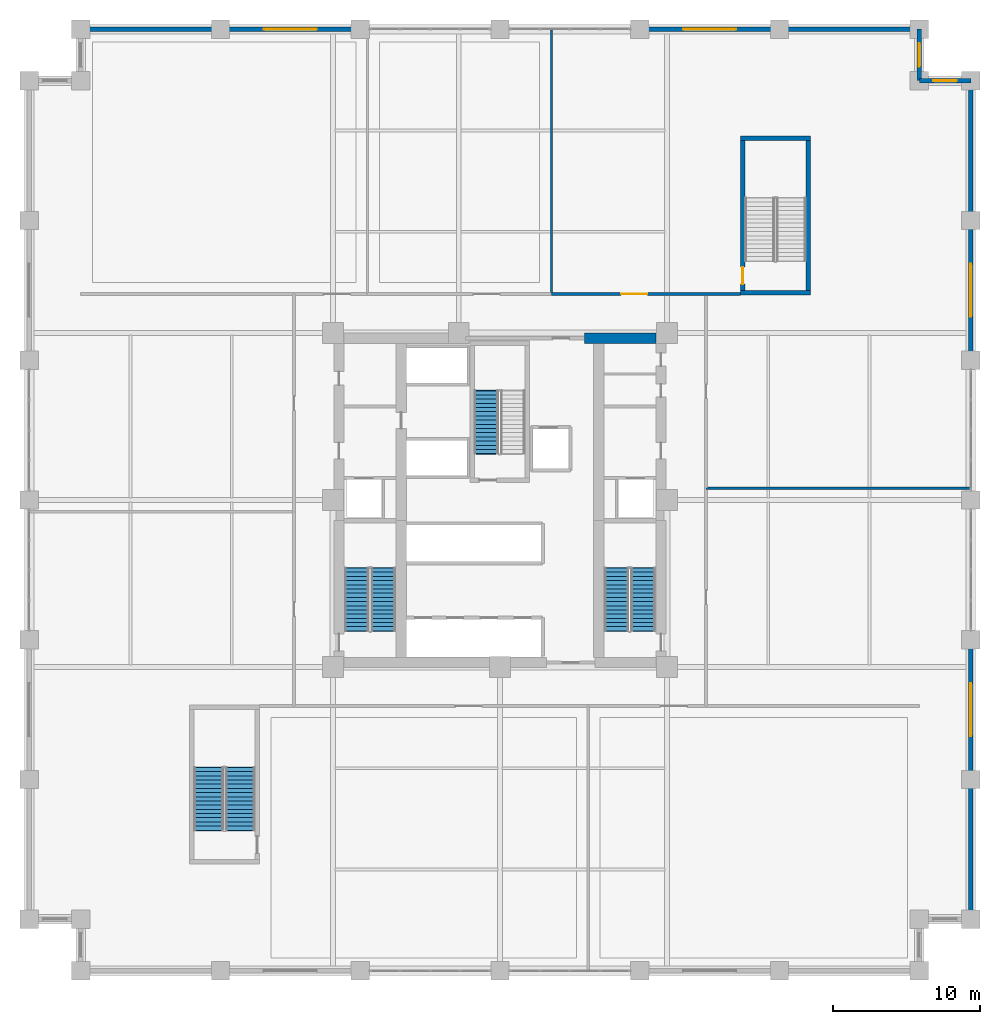
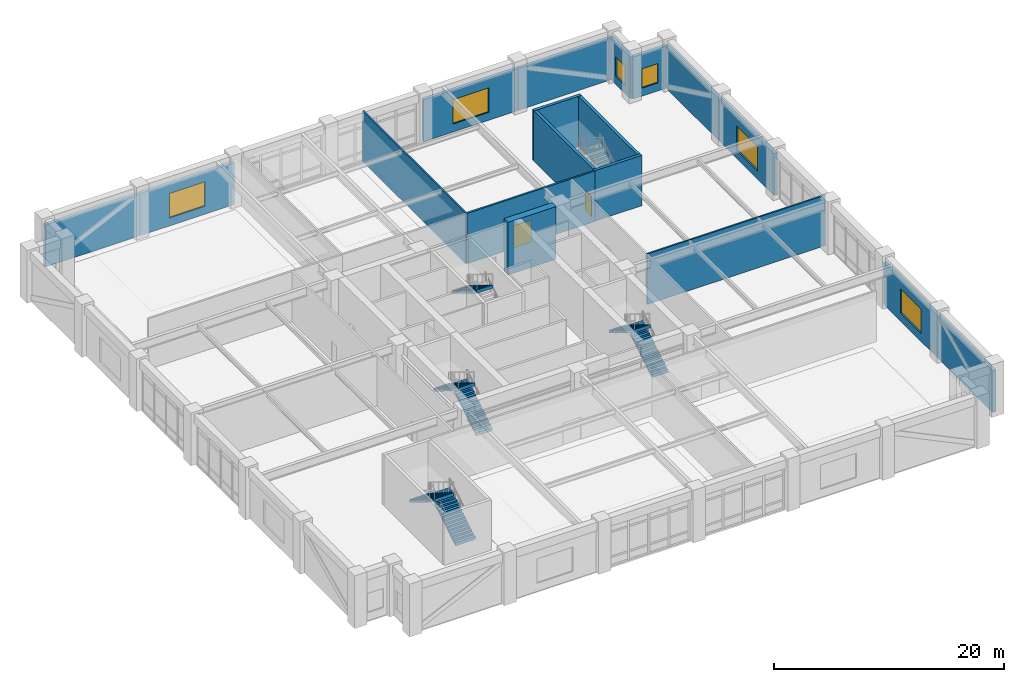
# One storey, part 14 of 21: 18 walls, 7 stair flights, 6 windows, 2 doors, 8 openings, 4 elements without a shape of their own.
"""IFC4 building model written with IfcOpenShell, lengths in metres."""

from ifc_helpers import new_model, si_unit, direction, frame, frame_2d, origin, place, context, subcontext, project, spatial, polyline, rectangle, outline, extrude, material, layer, layer_set, type_object, element, fill, aggregate, save


model = new_model("IFC4")

# Units and contexts
model_context = context("Model", 3, precision=1e-05, world=origin(), true_north=direction((0.0, 1.0)))
body_context = subcontext(model_context, "Body", "Model", "MODEL_VIEW")
ifc_project = project(units=[si_unit("LENGTHUNIT", "METRE"), si_unit("AREAUNIT", "SQUARE_METRE"), si_unit("VOLUMEUNIT", "CUBIC_METRE"), si_unit("PLANEANGLEUNIT", "RADIAN"), si_unit("MASSUNIT", "GRAM", prefix="KILO")], contexts=[model_context])

# Site, building, storey
site_placement = place(None, origin())
site = spatial("IfcSite", under=ifc_project, at=site_placement, CompositionType="ELEMENT")
building_placement = place(site_placement, origin())
building = spatial("IfcBuilding", under=site, at=building_placement, Name="Nhamokura Convention Tower", CompositionType="ELEMENT")
storey_placement = place(building_placement, frame((0.0, 0.0, 6.64990234375)))
storey = spatial("IfcBuildingStorey", under=building, at=storey_placement, Name="L01", CompositionType="ELEMENT", Elevation=6.64990234375)

# Wall
ifc_material_1 = material(Name="Bronze-pigmented precast concrete C45/55", Category="concrete")
ifc_layer_1 = layer(ifc_material_1, 0.320068359375)
ifc_layer_set_1 = layer_set([ifc_layer_1], Name="BronzePrecastSpandrel_320")
wall_type_1 = type_object("IfcWallType", Name="BronzePrecastSpandrel_320", PredefinedType="USERDEFINED", material=ifc_layer_set_1)
wall_1_placement = place(storey_placement, frame((3.5, 64.0, 0.0), z_axis=(0.0, 0.0, 1.0), x_axis=(1.0, 0.0, 0.0)))
element("IfcWall", 1, at=wall_1_placement, inside=storey, type_object=wall_type_1, Name="L01 Braced-Bay Precast Wall NORTH 0", ObjectType="SPANDREL_WALL", PredefinedType="USERDEFINED", context=body_context, shape_type="SweptSolid", body=[
    extrude(rectangle(XDim=9.5, YDim=0.320068359375, at=frame_2d((4.75, 0.0))), origin(), (0.0, 0.0, 1.0), 4.460205078125),
])

# Wall, opening, window
wall_2_placement = place(storey_placement, frame((13.0, 64.0, 0.0), z_axis=(0.0, 0.0, 1.0), x_axis=(1.0, 0.0, 0.0)))
wall_2 = element("IfcWall", 2, at=wall_2_placement, inside=storey, type_object=wall_type_1, Name="L01 Masonry-Frame Wall NORTH 1", ObjectType="SPANDREL_WALL", PredefinedType="USERDEFINED", context=body_context, shape_type="SweptSolid", body=[
    extrude(rectangle(XDim=9.5, YDim=0.320068359375, at=frame_2d((4.75, 0.0))), origin(), (0.0, 0.0, 1.0), 4.460205078125),
])
opening_1_placement = place(wall_2_placement, frame((2.949951171875, 0.0, 0.85009765625)))
opening_1 = element("IfcOpeningElement", 3, at=opening_1_placement, cuts=wall_2, Name="Opening W-01", PredefinedType="OPENING", context=body_context, shape_type="SweptSolid", body=[
    extrude(rectangle(XDim=3.60009765625, YDim=2.60009765625, at=frame_2d((1.800048828125, 1.300048828125))), frame((0.0, 0.169921875, 0.0), z_axis=(0.0, -1.0, 0.0), x_axis=(1.0, 0.0, 0.0)), (0.0, 0.0, 1.0), 0.340087890625),
])
ifc_material_2 = material(Name="Solar-control bronze low-E double glass", Category="glass")
window_type_1 = type_object("IfcWindowType", Name="PodiumClerestoryWindow_3600", PartitioningType="TRIPLE_PANEL_VERTICAL", PredefinedType="WINDOW", material=ifc_material_2)
window_1_placement = place(opening_1_placement, origin())
window_1 = element("IfcWindow", 4, at=window_1_placement, inside=storey, type_object=window_type_1, Name="L01 Facade Window NORTH 1", OverallHeight=2.60009765625, OverallWidth=3.60009765625, PartitioningType="SINGLE_PANEL", PredefinedType="WINDOW", context=body_context, shape_type="SweptSolid", body=[
    extrude(rectangle(XDim=3.60009765625, YDim=2.60009765625, at=frame_2d((1.800048828125, 1.300048828125))), frame((0.0, 0.030029296875, 0.0), z_axis=(0.0, -1.0, 0.0), x_axis=(1.0, 0.0, 0.0)), (0.0, 0.0, 1.0), 0.06005859375),
])
fill(opening_1, window_1)

wall_3_placement = place(storey_placement, frame((41.5, 64.0, 0.0), z_axis=(0.0, 0.0, 1.0), x_axis=(1.0, 0.0, 0.0)))
wall_3 = element("IfcWall", 5, at=wall_3_placement, inside=storey, type_object=wall_type_1, Name="L01 Masonry-Frame Wall NORTH 4", ObjectType="SPANDREL_WALL", PredefinedType="USERDEFINED", context=body_context, shape_type="SweptSolid", body=[
    extrude(rectangle(XDim=9.5, YDim=0.320068359375, at=frame_2d((4.75, 0.0))), origin(), (0.0, 0.0, 1.0), 4.460205078125),
])
opening_2_placement = place(wall_3_placement, frame((2.949951171875, 0.0, 0.85009765625)))
opening_2 = element("IfcOpeningElement", 6, at=opening_2_placement, cuts=wall_3, Name="Opening W-01", PredefinedType="OPENING", context=body_context, shape_type="SweptSolid", body=[
    extrude(rectangle(XDim=3.60009765625, YDim=2.60009765625, at=frame_2d((1.800048828125, 1.300048828125))), frame((0.0, 0.169921875, 0.0), z_axis=(0.0, -1.0, 0.0), x_axis=(1.0, 0.0, 0.0)), (0.0, 0.0, 1.0), 0.340087890625),
])
window_2_placement = place(opening_2_placement, origin())
window_2 = element("IfcWindow", 7, at=window_2_placement, inside=storey, type_object=window_type_1, Name="L01 Facade Window NORTH 4", OverallHeight=2.60009765625, OverallWidth=3.60009765625, PartitioningType="SINGLE_PANEL", PredefinedType="WINDOW", context=body_context, shape_type="SweptSolid", body=[
    extrude(rectangle(XDim=3.60009765625, YDim=2.60009765625, at=frame_2d((1.800048828125, 1.300048828125))), frame((0.0, 0.030029296875, 0.0), z_axis=(0.0, -1.0, 0.0), x_axis=(1.0, 0.0, 0.0)), (0.0, 0.0, 1.0), 0.06005859375),
])
fill(opening_2, window_2)

# Walls
for number, where, z_axis, x_axis, name in (
    (8, (51.0, 64.0, 0.0), (0.0, 0.0, 1.0), (1.0, 0.0, 0.0), "L01 Braced-Bay Precast Wall NORTH 5"),
    (9, (64.0, 13.0, 0.0), (0.0, 0.0, 1.0), (0.0, -1.0, 0.0), "L01 Braced-Bay Precast Wall EAST 0"),
):
    element("IfcWall", number, at=place(storey_placement, frame(where, z_axis=z_axis, x_axis=x_axis)), inside=storey, type_object=wall_type_1, Name=name, ObjectType="SPANDREL_WALL", PredefinedType="USERDEFINED", context=body_context, shape_type="SweptSolid", body=[
        extrude(rectangle(XDim=9.5, YDim=0.320068359375, at=frame_2d((4.75, 0.0))), origin(), (0.0, 0.0, 1.0), 4.460205078125),
    ])

# Wall, opening, window
wall_4_placement = place(storey_placement, frame((64.0, 22.5, 0.0), z_axis=(0.0, 0.0, 1.0), x_axis=(0.0, -1.0, 0.0)))
wall_4 = element("IfcWall", 10, at=wall_4_placement, inside=storey, type_object=wall_type_1, Name="L01 Masonry-Frame Wall EAST 1", ObjectType="SPANDREL_WALL", PredefinedType="USERDEFINED", context=body_context, shape_type="SweptSolid", body=[
    extrude(rectangle(XDim=9.5, YDim=0.320068359375, at=frame_2d((4.75, 0.0))), origin(), (0.0, 0.0, 1.0), 4.460205078125),
])
opening_3_placement = place(wall_4_placement, frame((2.949951171875, 0.0, 0.85009765625)))
opening_3 = element("IfcOpeningElement", 11, at=opening_3_placement, cuts=wall_4, Name="Opening W-01", PredefinedType="OPENING", context=body_context, shape_type="SweptSolid", body=[
    extrude(rectangle(XDim=3.60009765625, YDim=2.60009765625, at=frame_2d((1.800048828125, 1.300048828125))), frame((0.0, 0.169921875, 0.0), z_axis=(0.0, -1.0, 0.0), x_axis=(1.0, 0.0, 0.0)), (0.0, 0.0, 1.0), 0.340087890625),
])
window_3_placement = place(opening_3_placement, origin())
window_3 = element("IfcWindow", 12, at=window_3_placement, inside=storey, type_object=window_type_1, Name="L01 Facade Window EAST 1", OverallHeight=2.60009765625, OverallWidth=3.60009765625, PartitioningType="SINGLE_PANEL", PredefinedType="WINDOW", context=body_context, shape_type="SweptSolid", body=[
    extrude(rectangle(XDim=3.60009765625, YDim=2.60009765625, at=frame_2d((1.800048828125, 1.300048828125))), frame((0.0, 0.030029296875, 0.0), z_axis=(0.0, -1.0, 0.0), x_axis=(1.0, 0.0, 0.0)), (0.0, 0.0, 1.0), 0.06005859375),
])
fill(opening_3, window_3)

wall_5_placement = place(storey_placement, frame((64.0, 51.0, 0.0), z_axis=(0.0, 0.0, 1.0), x_axis=(0.0, -1.0, 0.0)))
wall_5 = element("IfcWall", 13, at=wall_5_placement, inside=storey, type_object=wall_type_1, Name="L01 Masonry-Frame Wall EAST 4", ObjectType="SPANDREL_WALL", PredefinedType="USERDEFINED", context=body_context, shape_type="SweptSolid", body=[
    extrude(rectangle(XDim=9.5, YDim=0.320068359375, at=frame_2d((4.75, 0.0))), origin(), (0.0, 0.0, 1.0), 4.460205078125),
])
opening_4_placement = place(wall_5_placement, frame((2.949951171875, 0.0, 0.85009765625)))
opening_4 = element("IfcOpeningElement", 14, at=opening_4_placement, cuts=wall_5, Name="Opening W-01", PredefinedType="OPENING", context=body_context, shape_type="SweptSolid", body=[
    extrude(rectangle(XDim=3.60009765625, YDim=2.60009765625, at=frame_2d((1.800048828125, 1.300048828125))), frame((0.0, 0.169921875, 0.0), z_axis=(0.0, -1.0, 0.0), x_axis=(1.0, 0.0, 0.0)), (0.0, 0.0, 1.0), 0.340087890625),
])
window_4_placement = place(opening_4_placement, origin())
window_4 = element("IfcWindow", 15, at=window_4_placement, inside=storey, type_object=window_type_1, Name="L01 Facade Window EAST 4", OverallHeight=2.60009765625, OverallWidth=3.60009765625, PartitioningType="SINGLE_PANEL", PredefinedType="WINDOW", context=body_context, shape_type="SweptSolid", body=[
    extrude(rectangle(XDim=3.60009765625, YDim=2.60009765625, at=frame_2d((1.800048828125, 1.300048828125))), frame((0.0, 0.030029296875, 0.0), z_axis=(0.0, -1.0, 0.0), x_axis=(1.0, 0.0, 0.0)), (0.0, 0.0, 1.0), 0.06005859375),
])
fill(opening_4, window_4)

# Wall
wall_6_placement = place(storey_placement, frame((64.0, 60.5, 0.0), z_axis=(0.0, 0.0, 1.0), x_axis=(0.0, -1.0, 0.0)))
element("IfcWall", 16, at=wall_6_placement, inside=storey, type_object=wall_type_1, Name="L01 Braced-Bay Precast Wall EAST 5", ObjectType="SPANDREL_WALL", PredefinedType="USERDEFINED", context=body_context, shape_type="SweptSolid", body=[
    extrude(rectangle(XDim=9.5, YDim=0.320068359375, at=frame_2d((4.75, 0.0))), origin(), (0.0, 0.0, 1.0), 4.460205078125),
])

# Wall, opening, window
wall_7_placement = place(storey_placement, frame((60.5, 60.5, 0.0), z_axis=(0.0, 0.0, 1.0), x_axis=(1.0, 0.0, 0.0)))
wall_7 = element("IfcWall", 17, at=wall_7_placement, inside=storey, type_object=wall_type_1, Name="L01 Notched Corner Wall NE1", ObjectType="SPANDREL_WALL", PredefinedType="USERDEFINED", context=body_context, shape_type="SweptSolid", body=[
    extrude(rectangle(XDim=3.5, YDim=0.320068359375, at=frame_2d((1.75, 0.0))), origin(), (0.0, 0.0, 1.0), 4.460205078125),
])
opening_5_placement = place(wall_7_placement, frame((0.949951171875, 0.0, 0.85009765625)))
opening_5 = element("IfcOpeningElement", 18, at=opening_5_placement, cuts=wall_7, Name="Opening W-11", PredefinedType="OPENING", context=body_context, shape_type="SweptSolid", body=[
    extrude(rectangle(XDim=1.60009765625, YDim=2.050048828125, at=frame_2d((0.800048828125, 1.02490234375))), frame((0.0, 0.169921875, 0.0), z_axis=(0.0, -1.0, 0.0), x_axis=(1.0, 0.0, 0.0)), (0.0, 0.0, 1.0), 0.340087890625),
])
ifc_material_3 = material(Name="Solar-control bronze low-E double glass", Category="glass")
window_type_2 = type_object("IfcWindowType", Name="NotchCornerWindow_1600", PartitioningType="SINGLE_PANEL", PredefinedType="WINDOW", material=ifc_material_3)
window_5_placement = place(opening_5_placement, origin())
window_5 = element("IfcWindow", 19, at=window_5_placement, inside=storey, type_object=window_type_2, Name="L01 Notched Corner Window NE1", OverallHeight=2.050048828125, OverallWidth=1.60009765625, PartitioningType="SINGLE_PANEL", PredefinedType="WINDOW", context=body_context, shape_type="SweptSolid", body=[
    extrude(rectangle(XDim=1.60009765625, YDim=2.050048828125, at=frame_2d((0.800048828125, 1.02490234375))), frame((0.0, 0.030029296875, 0.0), z_axis=(0.0, -1.0, 0.0), x_axis=(1.0, 0.0, 0.0)), (0.0, 0.0, 1.0), 0.06005859375),
])
fill(opening_5, window_5)

wall_8_placement = place(storey_placement, frame((60.5, 64.0, 0.0), z_axis=(0.0, 0.0, 1.0), x_axis=(0.0, -1.0, 0.0)))
wall_8 = element("IfcWall", 20, at=wall_8_placement, inside=storey, type_object=wall_type_1, Name="L01 Notched Corner Wall NE2", ObjectType="SPANDREL_WALL", PredefinedType="USERDEFINED", context=body_context, shape_type="SweptSolid", body=[
    extrude(rectangle(XDim=3.5, YDim=0.320068359375, at=frame_2d((1.75, 0.0))), origin(), (0.0, 0.0, 1.0), 4.460205078125),
])
opening_6_placement = place(wall_8_placement, frame((0.949951171875, 0.0, 0.85009765625)))
opening_6 = element("IfcOpeningElement", 21, at=opening_6_placement, cuts=wall_8, Name="Opening W-11", PredefinedType="OPENING", context=body_context, shape_type="SweptSolid", body=[
    extrude(rectangle(XDim=1.60009765625, YDim=2.050048828125, at=frame_2d((0.800048828125, 1.02490234375))), frame((0.0, 0.169921875, 0.0), z_axis=(0.0, -1.0, 0.0), x_axis=(1.0, 0.0, 0.0)), (0.0, 0.0, 1.0), 0.340087890625),
])
window_6_placement = place(opening_6_placement, origin())
window_6 = element("IfcWindow", 22, at=window_6_placement, inside=storey, type_object=window_type_2, Name="L01 Notched Corner Window NE2", OverallHeight=2.050048828125, OverallWidth=1.60009765625, PartitioningType="SINGLE_PANEL", PredefinedType="WINDOW", context=body_context, shape_type="SweptSolid", body=[
    extrude(rectangle(XDim=1.60009765625, YDim=2.050048828125, at=frame_2d((0.800048828125, 1.02490234375))), frame((0.0, 0.030029296875, 0.0), z_axis=(0.0, -1.0, 0.0), x_axis=(1.0, 0.0, 0.0)), (0.0, 0.0, 1.0), 0.06005859375),
])
fill(opening_6, window_6)

# Wall
ifc_material_4 = material(Name="Concrete C70/85", Category="concrete")
ifc_layer_2 = layer(ifc_material_4, 0.699951171875)
ifc_layer_set_2 = layer_set([ifc_layer_2], Name="CoreShearWall_700")
wall_type_2 = type_object("IfcWallType", Name="CoreShearWall_700", PredefinedType="SHEAR", material=ifc_layer_set_2)
wall_9_placement = place(storey_placement, frame((37.75, 43.0, 0.0), z_axis=(0.0, 0.0, 1.0), x_axis=(1.0, 0.0, 0.0)))
element("IfcWall", 23, at=wall_9_placement, inside=storey, type_object=wall_type_2, Name="L01 Core Shear Wall CW-N2", PredefinedType="SHEAR", context=body_context, shape_type="SweptSolid", body=[
    extrude(rectangle(XDim=4.840087890625, YDim=0.699951171875, at=frame_2d((2.419921875, 0.0))), origin(), (0.0, 0.0, 1.0), 5.60009765625),
])

# Wall, opening, door
ifc_material_5 = material(Name="Fire-rated gypsum and masonry partition", Category="masonry")
ifc_layer_3 = layer(ifc_material_5, 0.179931640625)
ifc_layer_set_3 = layer_set([ifc_layer_3], Name="CorridorRatedWall_180")
wall_type_3 = type_object("IfcWallType", Name="CorridorRatedWall_180", PredefinedType="STANDARD", material=ifc_layer_set_3)
wall_10_placement = place(storey_placement, frame((35.5, 46.0, 0.0), z_axis=(0.0, 0.0, 1.0), x_axis=(1.0, 0.0, 0.0)))
wall_10 = element("IfcWall", 24, at=wall_10_placement, inside=storey, type_object=wall_type_3, Name="L01 Wall INT-L01-CW-N02", PredefinedType="STANDARD", context=body_context, shape_type="SweptSolid", body=[
    extrude(rectangle(XDim=12.85009765625, YDim=0.179931640625, at=frame_2d((6.425048828125, 0.0))), origin(), (0.0, 0.0, 1.0), 5.360107421875),
])
opening_7_placement = place(wall_10_placement, frame((4.72509765625, 0.0, 0.0)))
opening_7 = element("IfcOpeningElement", 25, at=opening_7_placement, cuts=wall_10, Name="Opening D-03", PredefinedType="OPENING", context=body_context, shape_type="SweptSolid", body=[
    extrude(rectangle(XDim=1.800048828125, YDim=2.35009765625, at=frame_2d((0.89990234375, 1.175048828125))), frame((0.0, 0.099853515625, 0.0), z_axis=(0.0, -1.0, 0.0), x_axis=(1.0, 0.0, 0.0)), (0.0, 0.0, 1.0), 0.199951171875),
])
ifc_material_6 = material(Name="Solid oak hardwood", Category="wood")
door_type_1 = type_object("IfcDoorType", Name="BallroomDoubleDoor_1800", OperationType="DOUBLE_DOOR_SINGLE_SWING", PredefinedType="DOOR", material=ifc_material_6)
door_1_placement = place(opening_7_placement, origin())
door_1 = element("IfcDoor", 26, at=door_1_placement, inside=storey, type_object=door_type_1, Name="L01 Green Room N03 Door", OperationType="SINGLE_SWING_LEFT", OverallHeight=2.35009765625, OverallWidth=1.800048828125, PredefinedType="DOOR", context=body_context, shape_type="SweptSolid", body=[
    extrude(rectangle(XDim=1.800048828125, YDim=2.35009765625, at=frame_2d((0.89990234375, 1.175048828125))), frame((0.0, 0.02490234375, 0.0), z_axis=(0.0, -1.0, 0.0), x_axis=(1.0, 0.0, 0.0)), (0.0, 0.0, 1.0), 0.050048828125),
])
fill(opening_7, door_1)

# Walls
ifc_material_7 = material(Name="Acoustic gypsum stud partition", Category="masonry")
ifc_layer_4 = layer(ifc_material_7, 0.14990234375)
ifc_layer_set_4 = layer_set([ifc_layer_4], Name="InteriorPartition_150")
wall_type_4 = type_object("IfcWallType", Name="InteriorPartition_150", PredefinedType="STANDARD", material=ifc_layer_set_4)
for number, where, z_axis, x_axis, name in (
    (27, (35.5, 46.0, 0.0), (0.0, 0.0, 1.0), (0.0, 1.0, 0.0), "L01 Wall INT-L01-RW-N02"),
    (28, (46.0, 32.800048828125, 0.0), (0.0, 0.0, 1.0), (1.0, 0.0, 0.0), "L01 Wall INT-L01-RW-E01"),
):
    element("IfcWall", number, at=place(storey_placement, frame(where, z_axis=z_axis, x_axis=x_axis)), inside=storey, type_object=wall_type_4, Name=name, PredefinedType="STANDARD", context=body_context, shape_type="SweptSolid", body=[
        extrude(rectangle(XDim=17.93994140625, YDim=0.14990234375, at=frame_2d((8.969970703125, 0.0))), origin(), (0.0, 0.0, 1.0), 5.360107421875),
    ])

# Wall, opening, door
ifc_material_8 = material(Name="Concrete C50/60", Category="concrete")
ifc_layer_5 = layer(ifc_material_8, 0.300048828125)
ifc_layer_set_5 = layer_set([ifc_layer_5], Name="ShaftEnclosureWall_300")
wall_type_5 = type_object("IfcWallType", Name="ShaftEnclosureWall_300", PredefinedType="SHEAR", material=ifc_layer_set_5)
wall_11_placement = place(storey_placement, frame((48.5, 46.10009765625, 0.0), z_axis=(0.0, 0.0, 1.0), x_axis=(0.0, 1.0, 0.0)))
wall_11 = element("IfcWall", 29, at=wall_11_placement, inside=storey, type_object=wall_type_5, Name="L01 Wall INT-L01-ST05-W", PredefinedType="SHEAR", context=body_context, shape_type="SweptSolid", body=[
    extrude(rectangle(XDim=10.5, YDim=0.300048828125, at=frame_2d((5.25, 0.0))), origin(), (0.0, 0.0, 1.0), 5.360107421875),
])
opening_8_placement = place(wall_11_placement, frame((0.580078125, 0.0, 0.0)))
opening_8 = element("IfcOpeningElement", 30, at=opening_8_placement, cuts=wall_11, Name="Opening D-04", PredefinedType="OPENING", context=body_context, shape_type="SweptSolid", body=[
    extrude(rectangle(XDim=1.14990234375, YDim=2.14990234375, at=frame_2d((0.574951171875, 1.074951171875))), frame((0.0, 0.159912109375, 0.0), z_axis=(0.0, -1.0, 0.0), x_axis=(1.0, 0.0, 0.0)), (0.0, 0.0, 1.0), 0.320068359375),
])
ifc_material_9 = material(Name="Fire-rated steel door", Category="steel")
door_type_2 = type_object("IfcDoorType", Name="StairSmokeDoor_1150", OperationType="NOTDEFINED", PredefinedType="DOOR", material=ifc_material_9)
door_2_placement = place(opening_8_placement, origin())
door_2 = element("IfcDoor", 31, at=door_2_placement, inside=storey, type_object=door_type_2, Name="L01 Stair ST-05 Smoke Door", OperationType="SINGLE_SWING_LEFT", OverallHeight=2.14990234375, OverallWidth=1.14990234375, PredefinedType="DOOR", context=body_context, shape_type="SweptSolid", body=[
    extrude(rectangle(XDim=1.14990234375, YDim=2.14990234375, at=frame_2d((0.574951171875, 1.074951171875))), frame((0.0, 0.02490234375, 0.0), z_axis=(0.0, -1.0, 0.0), x_axis=(1.0, 0.0, 0.0)), (0.0, 0.0, 1.0), 0.050048828125),
])
fill(opening_8, door_2)

# Walls
wall_12_placement = place(storey_placement, frame((52.949951171875, 46.10009765625, 0.0), z_axis=(0.0, 0.0, 1.0), x_axis=(0.0, 1.0, 0.0)))
element("IfcWall", 32, at=wall_12_placement, inside=storey, type_object=wall_type_5, Name="L01 Wall INT-L01-ST05-E", PredefinedType="SHEAR", context=body_context, shape_type="SweptSolid", body=[
    extrude(rectangle(XDim=10.5, YDim=0.300048828125, at=frame_2d((5.25, 0.0))), origin(), (0.0, 0.0, 1.0), 5.360107421875),
])
for number, where, z_axis, x_axis, name in (
    (33, (48.35009765625, 46.10009765625, 0.0), (0.0, 0.0, 1.0), (1.0, 0.0, 0.0), "L01 Wall INT-L01-ST05-S"),
    (34, (48.35009765625, 56.60009765625, 0.0), (0.0, 0.0, 1.0), (1.0, 0.0, 0.0), "L01 Wall INT-L01-ST05-N"),
):
    element("IfcWall", number, at=place(storey_placement, frame(where, z_axis=z_axis, x_axis=x_axis)), inside=storey, type_object=wall_type_5, Name=name, PredefinedType="SHEAR", context=body_context, shape_type="SweptSolid", body=[
        extrude(rectangle(XDim=4.75, YDim=0.300048828125, at=frame_2d((2.375, 0.0))), origin(), (0.0, 0.0, 1.0), 5.360107421875),
    ])

# Stair, stair flights
ifc_material_10 = material(Name="Concrete C40/50", Category="concrete")
stair_type_1 = type_object("IfcStairType", Name="PodiumExitStair_2000", PredefinedType="HALF_TURN_STAIR", material=ifc_material_10)
stair_1_placement = place(storey_placement, origin())
stair_1 = element("IfcStair", 35, at=stair_1_placement, inside=storey, type_object=stair_type_1, Name="L01 South-West Podium Smokeproof Stair ST-04", PredefinedType="HALF_TURN_STAIR")
ifc_material_11 = material(Name="Concrete C40/50", Category="concrete")
stair_flight_type_1 = type_object("IfcStairFlightType", Name="PodiumExitStair_2000_Flight", PredefinedType="STRAIGHT", material=ifc_material_11)
stair_flight_1_placement = place(storey_placement, frame((14.35009765625, 9.550048828125, 0.0), z_axis=(0.0, 0.0, 1.0), x_axis=(0.0, 1.0, 0.0)))
stair_flight_1 = element("IfcStairFlight", 36, at=stair_flight_1_placement, type_object=stair_flight_type_1, Name="ST-04 flight 1", NumberOfRisers=16, NumberOfTreads=15, PredefinedType="STRAIGHT", RiserHeight=0.175, TreadLength=0.285, context=body_context, shape_type="SweptSolid", body=[
    extrude(outline(polyline([(-0.0419921875, 0.0), (0.0, 0.175048828125), (0.284912109375, 0.175048828125), (0.284912109375, 0.35009765625), (0.570068359375, 0.35009765625), (0.570068359375, 0.52490234375), (0.85498046875, 0.52490234375), (0.85498046875, 0.699951171875), (1.139892578125, 0.699951171875), (1.139892578125, 0.875), (1.425048828125, 0.875), (1.425048828125, 1.050048828125), (1.7099609375, 1.050048828125), (1.7099609375, 1.22509765625), (1.9951171875, 1.22509765625), (1.9951171875, 1.39990234375), (2.280029296875, 1.39990234375), (2.280029296875, 1.574951171875), (2.56494140625, 1.574951171875), (2.56494140625, 1.75), (2.85009765625, 1.75), (2.85009765625, 1.925048828125), (3.135009765625, 1.925048828125), (3.135009765625, 2.10009765625), (3.419921875, 2.10009765625), (3.419921875, 2.27490234375), (3.705078125, 2.27490234375), (3.705078125, 2.449951171875), (3.989990234375, 2.449951171875), (3.989990234375, 2.625), (4.27490234375, 2.625), (4.27490234375, 2.800048828125), (4.31689453125, 2.800048828125), (4.31689453125, 2.448974609375), (4.27490234375, 2.448974609375), (0.286376953125, 0.0), (0.02001953125, -0.1298828125), (-0.0419921875, -0.1298828125), (-0.0419921875, 0.0)])), frame((0.0, 1.0, 0.0), z_axis=(0.0, -1.0, 0.0), x_axis=(1.0, 0.0, 0.0)), (0.0, 0.0, 1.0), 2.0),
])
stair_flight_2_placement = place(storey_placement, frame((12.199951171875, 13.824951171875, 2.800048828125), z_axis=(0.0, 0.0, 1.0), x_axis=(0.0, -1.0, 0.0)))
stair_flight_2 = element("IfcStairFlight", 37, at=stair_flight_2_placement, type_object=stair_flight_type_1, Name="ST-04 flight 2", NumberOfRisers=16, NumberOfTreads=15, PredefinedType="STRAIGHT", RiserHeight=0.175, TreadLength=0.285, context=body_context, shape_type="SweptSolid", body=[
    extrude(outline(polyline([(-0.0419921875, 0.0), (0.0, 0.175048828125), (0.284912109375, 0.175048828125), (0.284912109375, 0.35009765625), (0.570068359375, 0.35009765625), (0.570068359375, 0.52490234375), (0.85498046875, 0.52490234375), (0.85498046875, 0.699951171875), (1.139892578125, 0.699951171875), (1.139892578125, 0.875), (1.425048828125, 0.875), (1.425048828125, 1.050048828125), (1.7099609375, 1.050048828125), (1.7099609375, 1.22509765625), (1.9951171875, 1.22509765625), (1.9951171875, 1.39990234375), (2.280029296875, 1.39990234375), (2.280029296875, 1.574951171875), (2.56494140625, 1.574951171875), (2.56494140625, 1.75), (2.85009765625, 1.75), (2.85009765625, 1.925048828125), (3.135009765625, 1.925048828125), (3.135009765625, 2.10009765625), (3.419921875, 2.10009765625), (3.419921875, 2.27490234375), (3.705078125, 2.27490234375), (3.705078125, 2.449951171875), (3.989990234375, 2.449951171875), (3.989990234375, 2.625), (4.27490234375, 2.625), (4.27490234375, 2.800048828125), (4.31689453125, 2.800048828125), (4.31689453125, 2.448974609375), (4.27490234375, 2.448974609375), (0.286376953125, 0.0), (0.02001953125, -0.1298828125), (-0.0419921875, -0.1298828125), (-0.0419921875, 0.0)])), frame((0.0, 1.0, 0.0), z_axis=(0.0, -1.0, 0.0), x_axis=(1.0, 0.0, 0.0)), (0.0, 0.0, 1.0), 2.0),
])
aggregate(stair_1, [stair_flight_1, stair_flight_2])

ifc_material_12 = material(Name="Concrete C40/50", Category="concrete")
stair_type_2 = type_object("IfcStairType", Name="TowerCoreStair_1650", PredefinedType="HALF_TURN_STAIR", material=ifc_material_12)
stair_2_placement = place(storey_placement, origin())
stair_2 = element("IfcStair", 38, at=stair_2_placement, inside=storey, type_object=stair_type_2, Name="L01 West Core Smokeproof Stair ST-01", PredefinedType="HALF_TURN_STAIR")
ifc_material_13 = material(Name="Concrete C40/50", Category="concrete")
stair_flight_type_2 = type_object("IfcStairFlightType", Name="TowerCoreStair_1650_Flight", PredefinedType="STRAIGHT", material=ifc_material_13)
stair_flight_3_placement = place(storey_placement, frame((24.074951171875, 23.10009765625, 0.0), z_axis=(0.0, 0.0, 1.0), x_axis=(0.0, 1.0, 0.0)))
stair_flight_3 = element("IfcStairFlight", 39, at=stair_flight_3_placement, type_object=stair_flight_type_2, Name="ST-01 flight 1", NumberOfRisers=16, NumberOfTreads=15, PredefinedType="STRAIGHT", RiserHeight=0.175, TreadLength=0.285, context=body_context, shape_type="SweptSolid", body=[
    extrude(outline(polyline([(-0.0419921875, 0.0), (0.0, 0.175048828125), (0.284912109375, 0.175048828125), (0.284912109375, 0.35009765625), (0.570068359375, 0.35009765625), (0.570068359375, 0.52490234375), (0.85498046875, 0.52490234375), (0.85498046875, 0.699951171875), (1.139892578125, 0.699951171875), (1.139892578125, 0.875), (1.425048828125, 0.875), (1.425048828125, 1.050048828125), (1.7099609375, 1.050048828125), (1.7099609375, 1.22509765625), (1.9951171875, 1.22509765625), (1.9951171875, 1.39990234375), (2.280029296875, 1.39990234375), (2.280029296875, 1.574951171875), (2.56494140625, 1.574951171875), (2.56494140625, 1.75), (2.85009765625, 1.75), (2.85009765625, 1.925048828125), (3.135009765625, 1.925048828125), (3.135009765625, 2.10009765625), (3.419921875, 2.10009765625), (3.419921875, 2.27490234375), (3.705078125, 2.27490234375), (3.705078125, 2.449951171875), (3.989990234375, 2.449951171875), (3.989990234375, 2.625), (4.27490234375, 2.625), (4.27490234375, 2.800048828125), (4.31689453125, 2.800048828125), (4.31689453125, 2.448974609375), (4.27490234375, 2.448974609375), (0.286376953125, 0.0), (0.02001953125, -0.1298828125), (-0.0419921875, -0.1298828125), (-0.0419921875, 0.0)])), frame((0.0, 0.824951171875, 0.0), z_axis=(0.0, -1.0, 0.0), x_axis=(1.0, 0.0, 0.0)), (0.0, 0.0, 1.0), 1.64990234375),
])
stair_flight_4_placement = place(storey_placement, frame((22.27490234375, 27.375, 2.800048828125), z_axis=(0.0, 0.0, 1.0), x_axis=(0.0, -1.0, 0.0)))
stair_flight_4 = element("IfcStairFlight", 40, at=stair_flight_4_placement, type_object=stair_flight_type_2, Name="ST-01 flight 2", NumberOfRisers=16, NumberOfTreads=15, PredefinedType="STRAIGHT", RiserHeight=0.175, TreadLength=0.285, context=body_context, shape_type="SweptSolid", body=[
    extrude(outline(polyline([(-0.0419921875, 0.0), (0.0, 0.175048828125), (0.284912109375, 0.175048828125), (0.284912109375, 0.35009765625), (0.570068359375, 0.35009765625), (0.570068359375, 0.52490234375), (0.85498046875, 0.52490234375), (0.85498046875, 0.699951171875), (1.139892578125, 0.699951171875), (1.139892578125, 0.875), (1.425048828125, 0.875), (1.425048828125, 1.050048828125), (1.7099609375, 1.050048828125), (1.7099609375, 1.22509765625), (1.9951171875, 1.22509765625), (1.9951171875, 1.39990234375), (2.280029296875, 1.39990234375), (2.280029296875, 1.574951171875), (2.56494140625, 1.574951171875), (2.56494140625, 1.75), (2.85009765625, 1.75), (2.85009765625, 1.925048828125), (3.135009765625, 1.925048828125), (3.135009765625, 2.10009765625), (3.419921875, 2.10009765625), (3.419921875, 2.27490234375), (3.705078125, 2.27490234375), (3.705078125, 2.449951171875), (3.989990234375, 2.449951171875), (3.989990234375, 2.625), (4.27490234375, 2.625), (4.27490234375, 2.800048828125), (4.31689453125, 2.800048828125), (4.31689453125, 2.448974609375), (4.27490234375, 2.448974609375), (0.286376953125, 0.0), (0.02001953125, -0.1298828125), (-0.0419921875, -0.1298828125), (-0.0419921875, 0.0)])), frame((0.0, 0.824951171875, 0.0), z_axis=(0.0, -1.0, 0.0), x_axis=(1.0, 0.0, 0.0)), (0.0, 0.0, 1.0), 1.64990234375),
])
aggregate(stair_2, [stair_flight_3, stair_flight_4])

stair_3_placement = place(storey_placement, origin())
stair_3 = element("IfcStair", 41, at=stair_3_placement, inside=storey, type_object=stair_type_2, Name="L01 East Core Smokeproof Stair ST-02", PredefinedType="HALF_TURN_STAIR")
stair_flight_5_placement = place(storey_placement, frame((41.72509765625, 23.10009765625, 0.0), z_axis=(0.0, 0.0, 1.0), x_axis=(0.0, 1.0, 0.0)))
stair_flight_5 = element("IfcStairFlight", 42, at=stair_flight_5_placement, type_object=stair_flight_type_2, Name="ST-02 flight 1", NumberOfRisers=16, NumberOfTreads=15, PredefinedType="STRAIGHT", RiserHeight=0.175, TreadLength=0.285, context=body_context, shape_type="SweptSolid", body=[
    extrude(outline(polyline([(-0.0419921875, 0.0), (0.0, 0.175048828125), (0.284912109375, 0.175048828125), (0.284912109375, 0.35009765625), (0.570068359375, 0.35009765625), (0.570068359375, 0.52490234375), (0.85498046875, 0.52490234375), (0.85498046875, 0.699951171875), (1.139892578125, 0.699951171875), (1.139892578125, 0.875), (1.425048828125, 0.875), (1.425048828125, 1.050048828125), (1.7099609375, 1.050048828125), (1.7099609375, 1.22509765625), (1.9951171875, 1.22509765625), (1.9951171875, 1.39990234375), (2.280029296875, 1.39990234375), (2.280029296875, 1.574951171875), (2.56494140625, 1.574951171875), (2.56494140625, 1.75), (2.85009765625, 1.75), (2.85009765625, 1.925048828125), (3.135009765625, 1.925048828125), (3.135009765625, 2.10009765625), (3.419921875, 2.10009765625), (3.419921875, 2.27490234375), (3.705078125, 2.27490234375), (3.705078125, 2.449951171875), (3.989990234375, 2.449951171875), (3.989990234375, 2.625), (4.27490234375, 2.625), (4.27490234375, 2.800048828125), (4.31689453125, 2.800048828125), (4.31689453125, 2.448974609375), (4.27490234375, 2.448974609375), (0.286376953125, 0.0), (0.02001953125, -0.1298828125), (-0.0419921875, -0.1298828125), (-0.0419921875, 0.0)])), frame((0.0, 0.824951171875, 0.0), z_axis=(0.0, -1.0, 0.0), x_axis=(1.0, 0.0, 0.0)), (0.0, 0.0, 1.0), 1.64990234375),
])
stair_flight_6_placement = place(storey_placement, frame((39.925048828125, 27.375, 2.800048828125), z_axis=(0.0, 0.0, 1.0), x_axis=(0.0, -1.0, 0.0)))
stair_flight_6 = element("IfcStairFlight", 43, at=stair_flight_6_placement, type_object=stair_flight_type_2, Name="ST-02 flight 2", NumberOfRisers=16, NumberOfTreads=15, PredefinedType="STRAIGHT", RiserHeight=0.175, TreadLength=0.285, context=body_context, shape_type="SweptSolid", body=[
    extrude(outline(polyline([(-0.0419921875, 0.0), (0.0, 0.175048828125), (0.284912109375, 0.175048828125), (0.284912109375, 0.35009765625), (0.570068359375, 0.35009765625), (0.570068359375, 0.52490234375), (0.85498046875, 0.52490234375), (0.85498046875, 0.699951171875), (1.139892578125, 0.699951171875), (1.139892578125, 0.875), (1.425048828125, 0.875), (1.425048828125, 1.050048828125), (1.7099609375, 1.050048828125), (1.7099609375, 1.22509765625), (1.9951171875, 1.22509765625), (1.9951171875, 1.39990234375), (2.280029296875, 1.39990234375), (2.280029296875, 1.574951171875), (2.56494140625, 1.574951171875), (2.56494140625, 1.75), (2.85009765625, 1.75), (2.85009765625, 1.925048828125), (3.135009765625, 1.925048828125), (3.135009765625, 2.10009765625), (3.419921875, 2.10009765625), (3.419921875, 2.27490234375), (3.705078125, 2.27490234375), (3.705078125, 2.449951171875), (3.989990234375, 2.449951171875), (3.989990234375, 2.625), (4.27490234375, 2.625), (4.27490234375, 2.800048828125), (4.31689453125, 2.800048828125), (4.31689453125, 2.448974609375), (4.27490234375, 2.448974609375), (0.286376953125, 0.0), (0.02001953125, -0.1298828125), (-0.0419921875, -0.1298828125), (-0.0419921875, 0.0)])), frame((0.0, 0.824951171875, 0.0), z_axis=(0.0, -1.0, 0.0), x_axis=(1.0, 0.0, 0.0)), (0.0, 0.0, 1.0), 1.64990234375),
])
aggregate(stair_3, [stair_flight_5, stair_flight_6])

# Stair, stair flight
stair_4_placement = place(storey_placement, origin())
stair_4 = element("IfcStair", 44, at=stair_4_placement, inside=storey, type_object=stair_type_2, Name="L01 North Core Smokeproof Stair ST-03", PredefinedType="HALF_TURN_STAIR")
stair_flight_7_placement = place(storey_placement, frame((31.074951171875, 39.425048828125, 2.800048828125), z_axis=(0.0, 0.0, 1.0), x_axis=(0.0, -1.0, 0.0)))
stair_flight_7 = element("IfcStairFlight", 45, at=stair_flight_7_placement, type_object=stair_flight_type_2, Name="ST-03 flight 2", NumberOfRisers=16, NumberOfTreads=15, PredefinedType="STRAIGHT", RiserHeight=0.175, TreadLength=0.285, context=body_context, shape_type="SweptSolid", body=[
    extrude(outline(polyline([(-0.0419921875, 0.0), (0.0, 0.175048828125), (0.284912109375, 0.175048828125), (0.284912109375, 0.35009765625), (0.570068359375, 0.35009765625), (0.570068359375, 0.52490234375), (0.85498046875, 0.52490234375), (0.85498046875, 0.699951171875), (1.139892578125, 0.699951171875), (1.139892578125, 0.875), (1.425048828125, 0.875), (1.425048828125, 1.050048828125), (1.7099609375, 1.050048828125), (1.7099609375, 1.22509765625), (1.9951171875, 1.22509765625), (1.9951171875, 1.39990234375), (2.280029296875, 1.39990234375), (2.280029296875, 1.574951171875), (2.56494140625, 1.574951171875), (2.56494140625, 1.75), (2.85009765625, 1.75), (2.85009765625, 1.925048828125), (3.135009765625, 1.925048828125), (3.135009765625, 2.10009765625), (3.419921875, 2.10009765625), (3.419921875, 2.27490234375), (3.705078125, 2.27490234375), (3.705078125, 2.449951171875), (3.989990234375, 2.449951171875), (3.989990234375, 2.625), (4.27490234375, 2.625), (4.27490234375, 2.800048828125), (4.31689453125, 2.800048828125), (4.31689453125, 2.448974609375), (4.27490234375, 2.448974609375), (0.286376953125, 0.0), (0.02001953125, -0.1298828125), (-0.0419921875, -0.1298828125), (-0.0419921875, 0.0)])), frame((0.0, 0.824951171875, 0.0), z_axis=(0.0, -1.0, 0.0), x_axis=(1.0, 0.0, 0.0)), (0.0, 0.0, 1.0), 1.64990234375),
])
aggregate(stair_4, [stair_flight_7])

save(model, "model.ifc")
